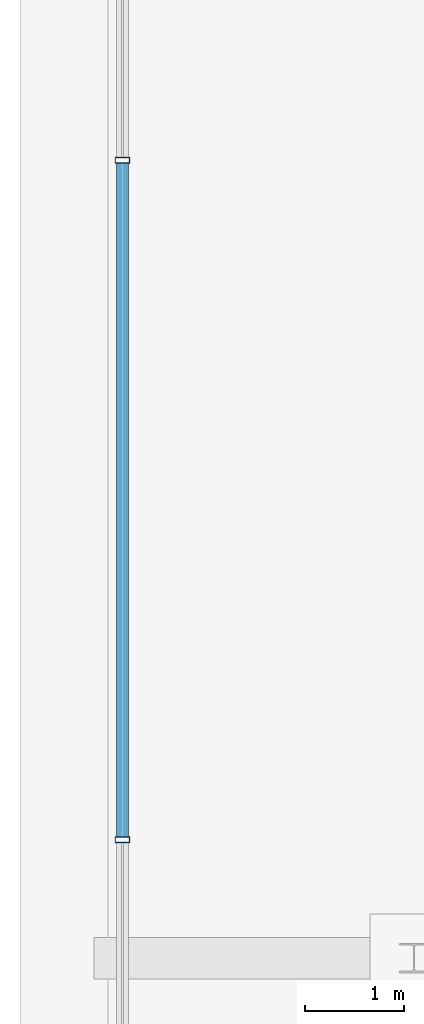
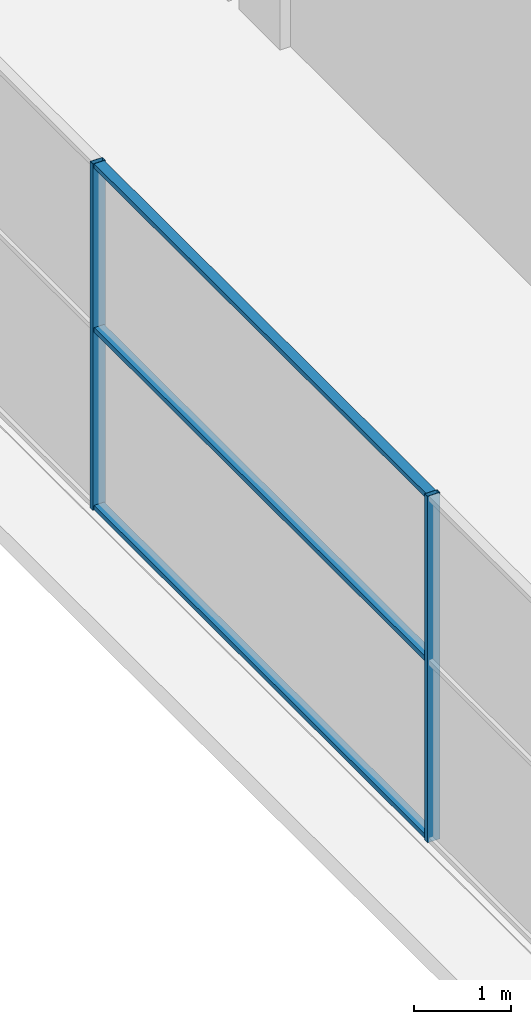
# One storey, part 11 of 28: 5 members, 1 element without a shape of its own.
"""IFC4 building model written with IfcOpenShell, lengths in metres."""

from ifc_helpers import new_model, si_unit, direction, frame, origin, origin_2d, place, context, subcontext, project, spatial, hollow_rectangle, extrude, source, transform, mapped, material, layer, layer_set, material_profile, profile_set, type_object, element, aggregate, save


model = new_model("IFC4")

# Units and contexts
model_context = context("Model", 3, precision=1e-05, world=origin(), true_north=direction((0.0, 1.0)))
body_context = subcontext(model_context, "Body", "Model", "MODEL_VIEW")
ifc_project = project(units=[si_unit("LENGTHUNIT", "METRE"), si_unit("AREAUNIT", "SQUARE_METRE"), si_unit("VOLUMEUNIT", "CUBIC_METRE"), si_unit("PLANEANGLEUNIT", "RADIAN"), si_unit("MASSUNIT", "GRAM", prefix="KILO")], contexts=[model_context])

# Site, building, storey
site_placement = place(None, origin())
site = spatial("IfcSite", under=ifc_project, at=site_placement, CompositionType="ELEMENT")
building_placement = place(site_placement, origin())
building = spatial("IfcBuilding", under=site, at=building_placement, Name="Zarnakvel Exchange Tower", CompositionType="ELEMENT")
storey_placement = place(building_placement, frame((0.0, 0.0, 271.60009765625)))
storey = spatial("IfcBuildingStorey", under=building, at=storey_placement, Name="Crown L77", CompositionType="ELEMENT", Elevation=271.60009765625)

# Curtain wall, members
ifc_material = material(Name="Architectural Bronze Anodised Aluminium", Category="aluminium")
ifc_layer = layer(ifc_material, 0.14990234375)
ifc_layer_set = layer_set([ifc_layer], Name="Architectural Bronze Anodised Aluminium")
curtain_wall_type = type_object("IfcCurtainWallType", Name="CW-07", PredefinedType="NOTDEFINED", material=ifc_layer_set)
curtain_wall_placement = place(storey_placement, origin())
curtain_wall = element("IfcCurtainWall", 1, at=curtain_wall_placement, inside=storey, type_object=curtain_wall_type, Name="Crown L77 Curtain Wall CW-Crown L77-W (CW-07)", PredefinedType="NOTDEFINED")
ifc_material_profile_1 = material_profile(ifc_material, hollow_rectangle(XDim=0.14990234375, YDim=0.06005859375, WallThickness=0.00390625, at=origin_2d()))
ifc_profile_set_1 = profile_set([ifc_material_profile_1], Name="Architectural Bronze Anodised Aluminium")
member_type_1 = type_object("IfcMemberType", Name="CWM-07", PredefinedType="MULLION", material=ifc_profile_set_1)
shared_shape_1 = source(origin(), body_context, "Body", "SweptSolid", [
    extrude(hollow_rectangle(XDim=0.14990234375, YDim=0.06005859375, WallThickness=0.00390625, at=origin_2d()), origin(), (0.0, 0.0, 1.0), 4.35986328125),
])
member_1_placement = place(storey_placement, frame((-20.56005859375, 0.0, 0.0), z_axis=(0.0, 0.0, 1.0), x_axis=(-1.0, 0.0, 0.0)))
member_1 = element("IfcMember", 2, at=member_1_placement, type_object=member_type_1, Name="CW-07 mullion 3", PredefinedType="MULLION", context=body_context, shape_type="MappedRepresentation", body=[
    mapped(shared_shape_1, transform((0.0, 0.0, 0.0), x_axis=(1.0, 0.0, 0.0), y_axis=(0.0, 1.0, 0.0), z_axis=(0.0, 0.0, 1.0), scale=1.0)),
])
member_2_placement = place(storey_placement, frame((-20.56005859375, 6.89990234375, 0.0), z_axis=(0.0, 0.0, 1.0), x_axis=(-1.0, 0.0, 0.0)))
member_2 = element("IfcMember", 3, at=member_2_placement, type_object=member_type_1, Name="CW-07 mullion 4", PredefinedType="MULLION", context=body_context, shape_type="MappedRepresentation", body=[
    mapped(shared_shape_1, transform((0.0, 0.0, 0.0), x_axis=(1.0, 0.0, 0.0), y_axis=(0.0, 1.0, 0.0), z_axis=(0.0, 0.0, 1.0), scale=1.0)),
])
ifc_material_profile_2 = material_profile(ifc_material, hollow_rectangle(XDim=0.1201171875, YDim=0.06005859375, WallThickness=0.00390625, at=origin_2d()))
ifc_profile_set_2 = profile_set([ifc_material_profile_2], Name="Architectural Bronze Anodised Aluminium")
member_type_2 = type_object("IfcMemberType", Name="CWT-07", PredefinedType="USERDEFINED", material=ifc_profile_set_2)
shared_shape_2 = source(origin(), body_context, "Body", "SweptSolid", [
    extrude(hollow_rectangle(XDim=0.1201171875, YDim=0.06005859375, WallThickness=0.00390625, at=origin_2d()), origin(), (0.0, 0.0, 1.0), 6.840087890625),
])
member_3_placement = place(storey_placement, frame((-20.56005859375, 0.030029296875, 0.02978515625), z_axis=(0.0, 1.0, 0.0), x_axis=(-1.0, 0.0, 0.0)))
member_3 = element("IfcMember", 4, at=member_3_placement, type_object=member_type_2, Name="CW-07 transom 3.1", ObjectType="TRANSOM", PredefinedType="USERDEFINED", context=body_context, shape_type="MappedRepresentation", body=[
    mapped(shared_shape_2, transform((0.0, 0.0, 0.0), x_axis=(1.0, 0.0, 0.0), y_axis=(0.0, 1.0, 0.0), z_axis=(0.0, 0.0, 1.0), scale=1.0)),
])
member_4_placement = place(storey_placement, frame((-20.56005859375, 0.030029296875, 2.26708984375), z_axis=(0.0, 1.0, 0.0), x_axis=(-1.0, 0.0, 0.0)))
member_4 = element("IfcMember", 5, at=member_4_placement, type_object=member_type_2, Name="CW-07 transom 3.2", ObjectType="TRANSOM", PredefinedType="USERDEFINED", context=body_context, shape_type="MappedRepresentation", body=[
    mapped(shared_shape_2, transform((0.0, 0.0, 0.0), x_axis=(1.0, 0.0, 0.0), y_axis=(0.0, 1.0, 0.0), z_axis=(0.0, 0.0, 1.0), scale=1.0)),
])
member_5_placement = place(storey_placement, frame((-20.56005859375, 0.030029296875, 4.329833984375), z_axis=(0.0, 1.0, 0.0), x_axis=(-1.0, 0.0, 0.0)))
member_5 = element("IfcMember", 6, at=member_5_placement, type_object=member_type_2, Name="CW-07 transom 3.3", ObjectType="TRANSOM", PredefinedType="USERDEFINED", context=body_context, shape_type="MappedRepresentation", body=[
    mapped(shared_shape_2, transform((0.0, 0.0, 0.0), x_axis=(1.0, 0.0, 0.0), y_axis=(0.0, 1.0, 0.0), z_axis=(0.0, 0.0, 1.0), scale=1.0)),
])
aggregate(curtain_wall, [member_1, member_2, member_3, member_4, member_5])

save(model, "model.ifc")
